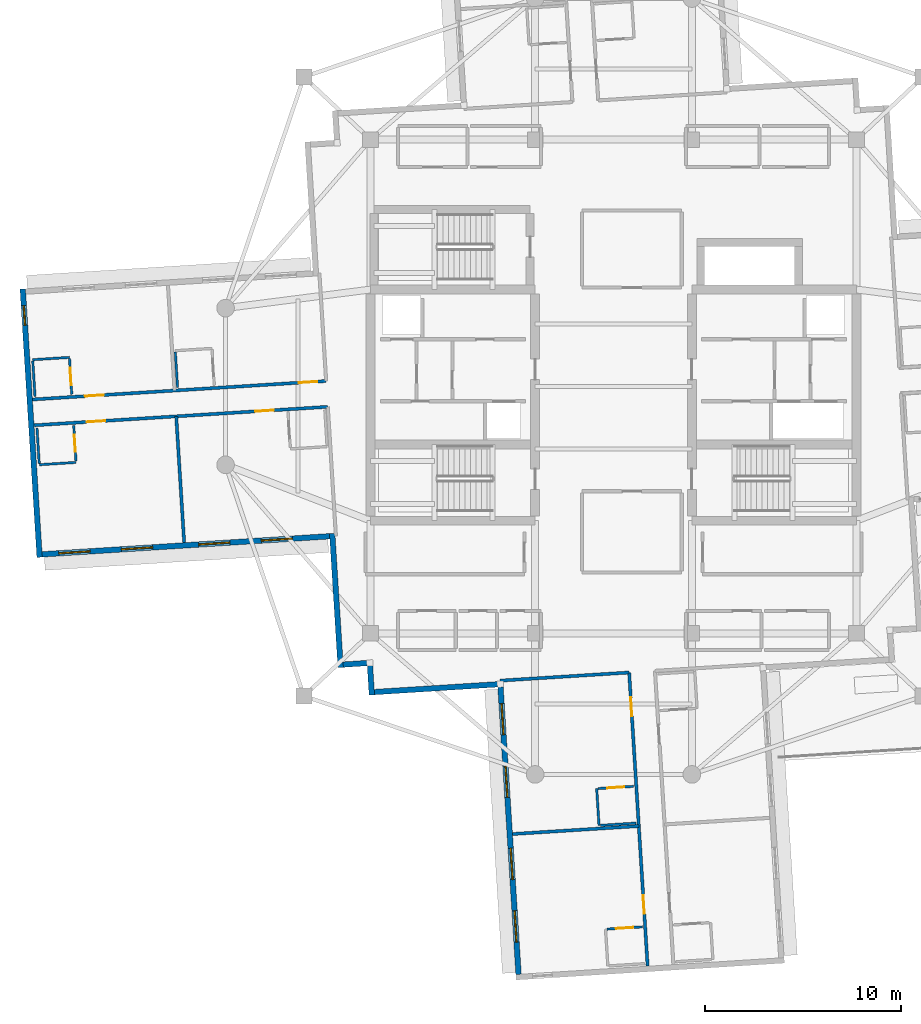
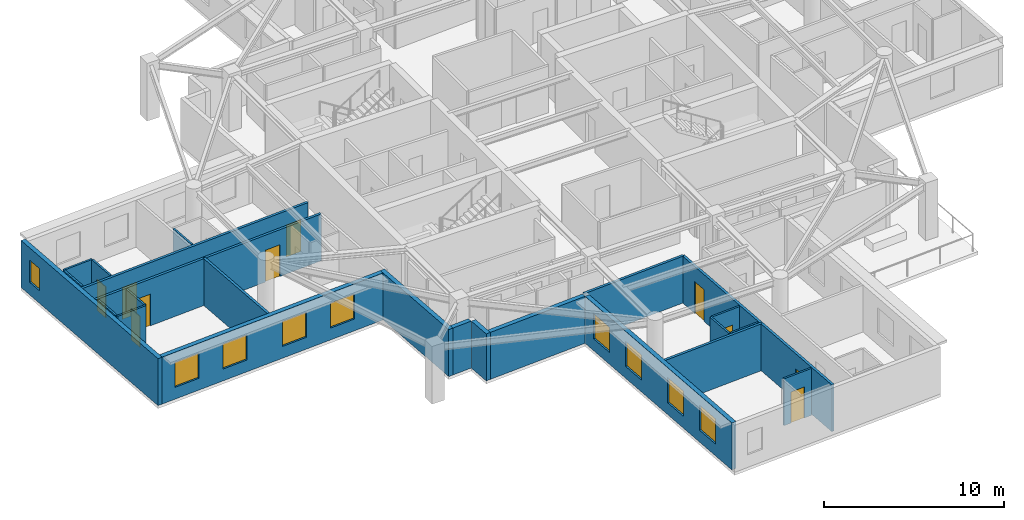
# One storey, part 3 of 13: 24 walls, 10 doors, 9 windows, 19 openings.
"""IFC4 building model written with IfcOpenShell, lengths in metres."""

from ifc_helpers import new_model, si_unit, direction, frame, frame_2d, origin, place, context, subcontext, project, spatial, rectangle, extrude, material, layer, layer_set, type_object, element, fill, save


model = new_model("IFC4")

# Units and contexts
model_context = context("Model", 3, precision=1e-05, world=origin(), true_north=direction((0.0, 1.0)))
body_context = subcontext(model_context, "Body", "Model", "MODEL_VIEW")
ifc_project = project(units=[si_unit("LENGTHUNIT", "METRE"), si_unit("AREAUNIT", "SQUARE_METRE"), si_unit("VOLUMEUNIT", "CUBIC_METRE"), si_unit("PLANEANGLEUNIT", "RADIAN"), si_unit("MASSUNIT", "GRAM", prefix="KILO")], contexts=[model_context])

# Site, building, storey
site_placement = place(None, origin())
site = spatial("IfcSite", under=ifc_project, at=site_placement, CompositionType="ELEMENT")
building_placement = place(site_placement, origin())
building = spatial("IfcBuilding", under=site, at=building_placement, Name="Qingluan Cross Belvedere", CompositionType="ELEMENT")
storey_placement = place(building_placement, frame((0.0, 0.0, 281.10009765625)))
storey = spatial("IfcBuildingStorey", under=building, at=storey_placement, Name="L70", CompositionType="ELEMENT", Elevation=281.10009765625)

# Wall, openings, doors
ifc_material_1 = material(Name="Gypsum plasterboard on steel stud acoustic partition", Category="steel")
ifc_layer_1 = layer(ifc_material_1, 0.159912109375, Name="CorridorPartition_160")
ifc_layer_set_1 = layer_set([ifc_layer_1], Name="Gypsum plasterboard on steel stud acoustic partition")
wall_type_1 = type_object("IfcWallType", Name="CorridorPartition_160", PredefinedType="PARTITIONING", material=ifc_layer_set_1)
wall_1_placement = place(storey_placement, frame((-14.66650390625, 0.279541015625, 0.0), z_axis=(0.0, 0.0, 1.0), x_axis=(-0.998026674719, -0.062791373209, 0.0)))
wall_1 = element("IfcWall", 1, at=wall_1_placement, inside=storey, type_object=wall_type_1, Name="Partition L70:W:c0", PredefinedType="PARTITIONING", context=body_context, shape_type="SweptSolid", body=[
    extrude(rectangle(XDim=15.011962890625, YDim=0.159912109375, at=frame_2d((7.505859375, 0.0))), origin(), (0.0, 0.0, 1.0), 3.169921875),
])
opening_1_placement = place(wall_1_placement, frame((0.449951171875, 0.0, 0.0)))
opening_1 = element("IfcOpeningElement", 2, at=opening_1_placement, cuts=wall_1, Name="Opening GD-10", PredefinedType="OPENING", context=body_context, shape_type="SweptSolid", body=[
    extrude(rectangle(XDim=0.9599609375, YDim=2.14990234375, at=frame_2d((0.47998046875, 1.074951171875))), frame((0.0, 0.08984375, 0.0), z_axis=(0.0, -1.0, 0.0), x_axis=(1.0, 0.0, 0.0)), (0.0, 0.0, 1.0), 0.179931640625),
])
opening_2_placement = place(wall_1_placement, frame((11.37109375, 0.0, 0.0)))
opening_2 = element("IfcOpeningElement", 3, at=opening_2_placement, cuts=wall_1, Name="Opening GD-10", PredefinedType="OPENING", context=body_context, shape_type="SweptSolid", body=[
    extrude(rectangle(XDim=0.9599609375, YDim=2.14990234375, at=frame_2d((0.47998046875, 1.074951171875))), frame((0.0, 0.08984375, 0.0), z_axis=(0.0, -1.0, 0.0), x_axis=(1.0, 0.0, 0.0)), (0.0, 0.0, 1.0), 0.179931640625),
])
ifc_material_2 = material(Name="Timber oak fire-rated acoustic guestroom door", Category="wood")
door_type_1 = type_object("IfcDoorType", Name="GuestEntryDoor_FD60", OperationType="NOTDEFINED", PredefinedType="DOOR", material=ifc_material_2)
door_1_placement = place(opening_1_placement, origin())
door_1 = element("IfcDoor", 4, at=door_1_placement, inside=storey, type_object=door_type_1, Name="Guest entry fire door 7005", OperationType="SINGLE_SWING_LEFT", OverallHeight=2.14990234375, OverallWidth=0.9599609375, PredefinedType="DOOR", context=body_context, shape_type="SweptSolid", body=[
    extrude(rectangle(XDim=0.9599609375, YDim=2.14990234375, at=frame_2d((0.47998046875, 1.074951171875))), frame((0.0, 0.02490234375, 0.0), z_axis=(0.0, -1.0, 0.0), x_axis=(1.0, 0.0, 0.0)), (0.0, 0.0, 1.0), 0.050048828125),
])
fill(opening_1, door_1)
door_2_placement = place(opening_2_placement, origin())
door_2 = element("IfcDoor", 5, at=door_2_placement, inside=storey, type_object=door_type_1, Name="Guest entry fire door 7006", OperationType="SINGLE_SWING_LEFT", OverallHeight=2.14990234375, OverallWidth=0.9599609375, PredefinedType="DOOR", context=body_context, shape_type="SweptSolid", body=[
    extrude(rectangle(XDim=0.9599609375, YDim=2.14990234375, at=frame_2d((0.47998046875, 1.074951171875))), frame((0.0, 0.02490234375, 0.0), z_axis=(0.0, -1.0, 0.0), x_axis=(1.0, 0.0, 0.0)), (0.0, 0.0, 1.0), 0.050048828125),
])
fill(opening_2, door_2)

wall_2_placement = place(storey_placement, frame((-14.58349609375, -1.037841796875, 0.0), z_axis=(0.0, 0.0, 1.0), x_axis=(-0.998026674719, -0.062791373209, 0.0)))
wall_2 = element("IfcWall", 6, at=wall_2_placement, inside=storey, type_object=wall_type_1, Name="Partition L70:W:c1", PredefinedType="PARTITIONING", context=body_context, shape_type="SweptSolid", body=[
    extrude(rectangle(XDim=15.011962890625, YDim=0.159912109375, at=frame_2d((7.505859375, 0.0))), origin(), (0.0, 0.0, 1.0), 3.169921875),
])
opening_3_placement = place(wall_2_placement, frame((2.7548828125, 0.0, 0.0)))
opening_3 = element("IfcOpeningElement", 7, at=opening_3_placement, cuts=wall_2, Name="Opening GD-10", PredefinedType="OPENING", context=body_context, shape_type="SweptSolid", body=[
    extrude(rectangle(XDim=0.9599609375, YDim=2.14990234375, at=frame_2d((0.47998046875, 1.074951171875))), frame((0.0, 0.08984375, 0.0), z_axis=(0.0, -1.0, 0.0), x_axis=(1.0, 0.0, 0.0)), (0.0, 0.0, 1.0), 0.179931640625),
])
opening_4_placement = place(wall_2_placement, frame((11.37109375, 0.0, 0.0)))
opening_4 = element("IfcOpeningElement", 8, at=opening_4_placement, cuts=wall_2, Name="Opening GD-10", PredefinedType="OPENING", context=body_context, shape_type="SweptSolid", body=[
    extrude(rectangle(XDim=0.9599609375, YDim=2.14990234375, at=frame_2d((0.47998046875, 1.074951171875))), frame((0.0, 0.08984375, 0.0), z_axis=(0.0, -1.0, 0.0), x_axis=(1.0, 0.0, 0.0)), (0.0, 0.0, 1.0), 0.179931640625),
])
door_3_placement = place(opening_3_placement, origin())
door_3 = element("IfcDoor", 9, at=door_3_placement, inside=storey, type_object=door_type_1, Name="Guest entry fire door 7007", OperationType="SINGLE_SWING_LEFT", OverallHeight=2.14990234375, OverallWidth=0.9599609375, PredefinedType="DOOR", context=body_context, shape_type="SweptSolid", body=[
    extrude(rectangle(XDim=0.9599609375, YDim=2.14990234375, at=frame_2d((0.47998046875, 1.074951171875))), frame((0.0, 0.02490234375, 0.0), z_axis=(0.0, -1.0, 0.0), x_axis=(1.0, 0.0, 0.0)), (0.0, 0.0, 1.0), 0.050048828125),
])
fill(opening_3, door_3)
door_4_placement = place(opening_4_placement, origin())
door_4 = element("IfcDoor", 10, at=door_4_placement, inside=storey, type_object=door_type_1, Name="Guest entry fire door 7008", OperationType="SINGLE_SWING_LEFT", OverallHeight=2.14990234375, OverallWidth=0.9599609375, PredefinedType="DOOR", context=body_context, shape_type="SweptSolid", body=[
    extrude(rectangle(XDim=0.9599609375, YDim=2.14990234375, at=frame_2d((0.47998046875, 1.074951171875))), frame((0.0, 0.02490234375, 0.0), z_axis=(0.0, -1.0, 0.0), x_axis=(1.0, 0.0, 0.0)), (0.0, 0.0, 1.0), 0.050048828125),
])
fill(opening_4, door_4)

# Wall
wall_3_placement = place(storey_placement, frame((-22.318359375, -1.5244140625, 0.0), z_axis=(0.0, 0.0, 1.0), x_axis=(0.062814100699, -0.998025244547, 0.0)))
element("IfcWall", 11, at=wall_3_placement, inside=storey, type_object=wall_type_1, Name="Partition L70:W:d1_0", PredefinedType="PARTITIONING", context=body_context, shape_type="SweptSolid", body=[
    extrude(rectangle(XDim=6.451904296875, YDim=0.159912109375, at=frame_2d((3.22607421875, 0.0))), origin(), (0.0, 0.0, 1.0), 3.169921875),
])

# Wall, openings, doors
wall_4_placement = place(storey_placement, frame((0.798095703125, -14.5986328125, 0.0), z_axis=(0.0, 0.0, 1.0), x_axis=(0.062791373209, -0.998026674719, 0.0)))
wall_4 = element("IfcWall", 12, at=wall_4_placement, inside=storey, type_object=wall_type_1, Name="Partition L70:S:c1", PredefinedType="PARTITIONING", context=body_context, shape_type="SweptSolid", body=[
    extrude(rectangle(XDim=15.011962890625, YDim=0.159912109375, at=frame_2d((7.505859375, 0.0))), origin(), (0.0, 0.0, 1.0), 3.169921875),
])
opening_5_placement = place(wall_4_placement, frame((1.27099609375, 0.0, 0.0)))
opening_5 = element("IfcOpeningElement", 13, at=opening_5_placement, cuts=wall_4, Name="Opening GD-10", PredefinedType="OPENING", context=body_context, shape_type="SweptSolid", body=[
    extrude(rectangle(XDim=0.9599609375, YDim=2.14990234375, at=frame_2d((0.47998046875, 1.074951171875))), frame((0.0, 0.08984375, 0.0), z_axis=(0.0, -1.0, 0.0), x_axis=(1.0, 0.0, 0.0)), (0.0, 0.0, 1.0), 0.179931640625),
])
opening_6_placement = place(wall_4_placement, frame((11.381103515625, 0.0, 0.0)))
opening_6 = element("IfcOpeningElement", 14, at=opening_6_placement, cuts=wall_4, Name="Opening GD-10", PredefinedType="OPENING", context=body_context, shape_type="SweptSolid", body=[
    extrude(rectangle(XDim=0.9599609375, YDim=2.14990234375, at=frame_2d((0.47998046875, 1.074951171875))), frame((0.0, 0.08984375, 0.0), z_axis=(0.0, -1.0, 0.0), x_axis=(1.0, 0.0, 0.0)), (0.0, 0.0, 1.0), 0.179931640625),
])
door_5_placement = place(opening_5_placement, origin())
door_5 = element("IfcDoor", 15, at=door_5_placement, inside=storey, type_object=door_type_1, Name="Guest entry fire door 7017", OperationType="SINGLE_SWING_LEFT", OverallHeight=2.14990234375, OverallWidth=0.9599609375, PredefinedType="DOOR", context=body_context, shape_type="SweptSolid", body=[
    extrude(rectangle(XDim=0.9599609375, YDim=2.14990234375, at=frame_2d((0.47998046875, 1.074951171875))), frame((0.0, 0.02490234375, 0.0), z_axis=(0.0, -1.0, 0.0), x_axis=(1.0, 0.0, 0.0)), (0.0, 0.0, 1.0), 0.050048828125),
])
fill(opening_5, door_5)
door_6_placement = place(opening_6_placement, origin())
door_6 = element("IfcDoor", 16, at=door_6_placement, inside=storey, type_object=door_type_1, Name="Guest entry fire door 7018", OperationType="SINGLE_SWING_LEFT", OverallHeight=2.14990234375, OverallWidth=0.9599609375, PredefinedType="DOOR", context=body_context, shape_type="SweptSolid", body=[
    extrude(rectangle(XDim=0.9599609375, YDim=2.14990234375, at=frame_2d((0.47998046875, 1.074951171875))), frame((0.0, 0.02490234375, 0.0), z_axis=(0.0, -1.0, 0.0), x_axis=(1.0, 0.0, 0.0)), (0.0, 0.0, 1.0), 0.050048828125),
])
fill(opening_6, door_6)

# Walls
wall_5_placement = place(storey_placement, frame((0.798095703125, -14.5986328125, 0.0), z_axis=(0.0, 0.0, 1.0), x_axis=(-0.998025424787, -0.06281123689, 0.0)))
element("IfcWall", 17, at=wall_5_placement, inside=storey, type_object=wall_type_1, Name="Partition L70:S:s1", PredefinedType="PARTITIONING", context=body_context, shape_type="SweptSolid", body=[
    extrude(rectangle(XDim=6.599853515625, YDim=0.159912109375, at=frame_2d((3.2998046875, 0.0))), origin(), (0.0, 0.0, 1.0), 3.169921875),
])
wall_6_placement = place(storey_placement, frame((1.291259765625, -22.436279296875, 0.0), z_axis=(0.0, 0.0, 1.0), x_axis=(-0.998027616022, -0.062776410047, 0.0)))
element("IfcWall", 18, at=wall_6_placement, inside=storey, type_object=wall_type_1, Name="Partition L70:S:d1_0", PredefinedType="PARTITIONING", context=body_context, shape_type="SweptSolid", body=[
    extrude(rectangle(XDim=6.451904296875, YDim=0.159912109375, at=frame_2d((3.22607421875, 0.0))), origin(), (0.0, 0.0, 1.0), 3.169921875),
])
ifc_material_3 = material(Name="Moisture-resistant gypsum board lining")
ifc_layer_2 = layer(ifc_material_3, 0.1201171875, Name="EnsuiteWetPartition_120")
ifc_layer_set_2 = layer_set([ifc_layer_2], Name="Moisture-resistant gypsum board lining")
wall_type_2 = type_object("IfcWallType", Name="EnsuiteWetPartition_120", PredefinedType="PARTITIONING", material=ifc_layer_set_2)
wall_7_placement = place(storey_placement, frame((-22.250244140625, -0.05712890625, 0.0), z_axis=(0.0, 0.0, 1.0), x_axis=(-0.062779145668, 0.998027443946, 0.0)))
element("IfcWall", 19, at=wall_7_placement, inside=storey, type_object=wall_type_2, Name="Partition L70:W:bw0_0", PredefinedType="PARTITIONING", context=body_context, shape_type="SweptSolid", body=[
    extrude(rectangle(XDim=1.820068359375, YDim=0.1201171875, at=frame_2d((0.91015625, 0.0))), origin(), (0.0, 0.0, 1.0), 3.169921875),
])

# Wall, opening, door
wall_8_placement = place(storey_placement, frame((-27.649658203125, -0.39697265625, 0.0), z_axis=(0.0, 0.0, 1.0), x_axis=(-0.062779145668, 0.998027443946, 0.0)))
wall_8 = element("IfcWall", 20, at=wall_8_placement, inside=storey, type_object=wall_type_2, Name="Partition L70:W:bs0_1", PredefinedType="PARTITIONING", context=body_context, shape_type="SweptSolid", body=[
    extrude(rectangle(XDim=1.820068359375, YDim=0.1201171875, at=frame_2d((0.91015625, 0.0))), origin(), (0.0, 0.0, 1.0), 3.169921875),
])
opening_7_placement = place(wall_8_placement, frame((0.469970703125, 0.0, 0.0)))
opening_7 = element("IfcOpeningElement", 21, at=opening_7_placement, cuts=wall_8, Name="Opening BD-09", PredefinedType="OPENING", context=body_context, shape_type="SweptSolid", body=[
    extrude(rectangle(XDim=0.8798828125, YDim=2.10009765625, at=frame_2d((0.43994140625, 1.050048828125))), frame((0.0, 0.070068359375, 0.0), z_axis=(0.0, -1.0, 0.0), x_axis=(1.0, 0.0, 0.0)), (0.0, 0.0, 1.0), 0.14013671875),
])
ifc_material_4 = material(Name="Moisture-sealed timber en-suite door", Category="wood")
door_type_2 = type_object("IfcDoorType", Name="BathroomDoor_880", OperationType="NOTDEFINED", PredefinedType="DOOR", material=ifc_material_4)
door_7_placement = place(opening_7_placement, origin())
door_7 = element("IfcDoor", 22, at=door_7_placement, inside=storey, type_object=door_type_2, Name="Bathroom door 7006", OperationType="SINGLE_SWING_RIGHT", OverallHeight=2.10009765625, OverallWidth=0.8798828125, PredefinedType="DOOR", context=body_context, shape_type="SweptSolid", body=[
    extrude(rectangle(XDim=0.8798828125, YDim=2.10009765625, at=frame_2d((0.43994140625, 1.050048828125))), frame((0.0, 0.02490234375, 0.0), z_axis=(0.0, -1.0, 0.0), x_axis=(1.0, 0.0, 0.0)), (0.0, 0.0, 1.0), 0.050048828125),
])
fill(opening_7, door_7)

# Walls
wall_9_placement = place(storey_placement, frame((-29.52587890625, -0.514892578125, 0.0), z_axis=(0.0, 0.0, 1.0), x_axis=(-0.062779145668, 0.998027443946, 0.0)))
element("IfcWall", 23, at=wall_9_placement, inside=storey, type_object=wall_type_2, Name="Partition L70:W:bw0_1", PredefinedType="PARTITIONING", context=body_context, shape_type="SweptSolid", body=[
    extrude(rectangle(XDim=1.820068359375, YDim=0.1201171875, at=frame_2d((0.91015625, 0.0))), origin(), (0.0, 0.0, 1.0), 3.169921875),
])
wall_10_placement = place(storey_placement, frame((-27.76806640625, 1.484375, 0.0), z_axis=(0.0, 0.0, 1.0), x_axis=(-0.998022650819, -0.062855297722, 0.0)))
element("IfcWall", 24, at=wall_10_placement, inside=storey, type_object=wall_type_2, Name="Partition L70:W:bn0_1", PredefinedType="PARTITIONING", context=body_context, shape_type="SweptSolid", body=[
    extrude(rectangle(XDim=1.8798828125, YDim=0.1201171875, at=frame_2d((0.93994140625, 0.0))), origin(), (0.0, 0.0, 1.0), 3.169921875),
])

# Wall, opening, door
wall_11_placement = place(storey_placement, frame((-27.434814453125, -3.810302734375, 0.0), z_axis=(0.0, 0.0, 1.0), x_axis=(-0.062912758763, 0.998019030272, 0.0)))
wall_11 = element("IfcWall", 25, at=wall_11_placement, inside=storey, type_object=wall_type_2, Name="Partition L70:W:bs1_1", PredefinedType="PARTITIONING", context=body_context, shape_type="SweptSolid", body=[
    extrude(rectangle(XDim=1.820068359375, YDim=0.1201171875, at=frame_2d((0.91015625, 0.0))), origin(), (0.0, 0.0, 1.0), 3.169921875),
])
opening_8_placement = place(wall_11_placement, frame((0.469970703125, 0.0, 0.0)))
opening_8 = element("IfcOpeningElement", 26, at=opening_8_placement, cuts=wall_11, Name="Opening BD-09", PredefinedType="OPENING", context=body_context, shape_type="SweptSolid", body=[
    extrude(rectangle(XDim=0.8798828125, YDim=2.10009765625, at=frame_2d((0.43994140625, 1.050048828125))), frame((0.0, 0.070068359375, 0.0), z_axis=(0.0, -1.0, 0.0), x_axis=(1.0, 0.0, 0.0)), (0.0, 0.0, 1.0), 0.14013671875),
])
door_8_placement = place(opening_8_placement, origin())
door_8 = element("IfcDoor", 27, at=door_8_placement, inside=storey, type_object=door_type_2, Name="Bathroom door 7008", OperationType="SINGLE_SWING_RIGHT", OverallHeight=2.10009765625, OverallWidth=0.8798828125, PredefinedType="DOOR", context=body_context, shape_type="SweptSolid", body=[
    extrude(rectangle(XDim=0.8798828125, YDim=2.10009765625, at=frame_2d((0.43994140625, 1.050048828125))), frame((0.0, 0.02490234375, 0.0), z_axis=(0.0, -1.0, 0.0), x_axis=(1.0, 0.0, 0.0)), (0.0, 0.0, 1.0), 0.050048828125),
])
fill(opening_8, door_8)

# Walls
wall_12_placement = place(storey_placement, frame((-29.311279296875, -3.92822265625, 0.0), z_axis=(0.0, 0.0, 1.0), x_axis=(-0.062779145668, 0.998027443946, 0.0)))
element("IfcWall", 28, at=wall_12_placement, inside=storey, type_object=wall_type_2, Name="Partition L70:W:bw1_1", PredefinedType="PARTITIONING", context=body_context, shape_type="SweptSolid", body=[
    extrude(rectangle(XDim=1.820068359375, YDim=0.1201171875, at=frame_2d((0.91015625, 0.0))), origin(), (0.0, 0.0, 1.0), 3.169921875),
])
wall_13_placement = place(storey_placement, frame((-27.430908203125, -3.875, 0.0), z_axis=(0.0, 0.0, 1.0), x_axis=(-0.998022650819, -0.062855297722, 0.0)))
element("IfcWall", 29, at=wall_13_placement, inside=storey, type_object=wall_type_2, Name="Partition L70:W:bc1_1", PredefinedType="PARTITIONING", context=body_context, shape_type="SweptSolid", body=[
    extrude(rectangle(XDim=1.8798828125, YDim=0.1201171875, at=frame_2d((0.93994140625, 0.0))), origin(), (0.0, 0.0, 1.0), 3.169921875),
])

# Wall, opening, door
wall_14_placement = place(storey_placement, frame((-0.79296875, -20.523193359375, 0.0), z_axis=(0.0, 0.0, 1.0), x_axis=(0.998027443946, 0.062779145668, 0.0)))
wall_14 = element("IfcWall", 30, at=wall_14_placement, inside=storey, type_object=wall_type_2, Name="Partition L70:S:bs1_0", PredefinedType="PARTITIONING", context=body_context, shape_type="SweptSolid", body=[
    extrude(rectangle(XDim=1.820068359375, YDim=0.1201171875, at=frame_2d((0.91015625, 0.0))), origin(), (0.0, 0.0, 1.0), 3.169921875),
])
opening_9_placement = place(wall_14_placement, frame((0.469970703125, 0.0, 0.0)))
opening_9 = element("IfcOpeningElement", 31, at=opening_9_placement, cuts=wall_14, Name="Opening BD-09", PredefinedType="OPENING", context=body_context, shape_type="SweptSolid", body=[
    extrude(rectangle(XDim=0.8798828125, YDim=2.10009765625, at=frame_2d((0.43994140625, 1.050048828125))), frame((0.0, 0.070068359375, 0.0), z_axis=(0.0, -1.0, 0.0), x_axis=(1.0, 0.0, 0.0)), (0.0, 0.0, 1.0), 0.14013671875),
])
door_9_placement = place(opening_9_placement, origin())
door_9 = element("IfcDoor", 32, at=door_9_placement, inside=storey, type_object=door_type_2, Name="Bathroom door 7017", OperationType="SINGLE_SWING_RIGHT", OverallHeight=2.10009765625, OverallWidth=0.8798828125, PredefinedType="DOOR", context=body_context, shape_type="SweptSolid", body=[
    extrude(rectangle(XDim=0.8798828125, YDim=2.10009765625, at=frame_2d((0.43994140625, 1.050048828125))), frame((0.0, 0.02490234375, 0.0), z_axis=(0.0, -1.0, 0.0), x_axis=(1.0, 0.0, 0.0)), (0.0, 0.0, 1.0), 0.050048828125),
])
fill(opening_9, door_9)

# Walls
wall_15_placement = place(storey_placement, frame((-0.6748046875, -22.399658203125, 0.0), z_axis=(0.0, 0.0, 1.0), x_axis=(0.998027443946, 0.062779145668, 0.0)))
element("IfcWall", 33, at=wall_15_placement, inside=storey, type_object=wall_type_2, Name="Partition L70:S:bw1_0", PredefinedType="PARTITIONING", context=body_context, shape_type="SweptSolid", body=[
    extrude(rectangle(XDim=1.820068359375, YDim=0.1201171875, at=frame_2d((0.91015625, 0.0))), origin(), (0.0, 0.0, 1.0), 3.169921875),
])
wall_16_placement = place(storey_placement, frame((-0.85791015625, -20.52734375, 0.0), z_axis=(0.0, 0.0, 1.0), x_axis=(0.062847152131, -0.998023163794, 0.0)))
element("IfcWall", 34, at=wall_16_placement, inside=storey, type_object=wall_type_2, Name="Partition L70:S:bc1_0", PredefinedType="PARTITIONING", context=body_context, shape_type="SweptSolid", body=[
    extrude(rectangle(XDim=1.880126953125, YDim=0.1201171875, at=frame_2d((0.93994140625, 0.0))), origin(), (0.0, 0.0, 1.0), 3.169921875),
])

# Wall, opening, door
wall_17_placement = place(storey_placement, frame((-0.341552734375, -27.696044921875, 0.0), z_axis=(0.0, 0.0, 1.0), x_axis=(0.998027443946, 0.062779145668, 0.0)))
wall_17 = element("IfcWall", 35, at=wall_17_placement, inside=storey, type_object=wall_type_2, Name="Partition L70:S:bs1_1", PredefinedType="PARTITIONING", context=body_context, shape_type="SweptSolid", body=[
    extrude(rectangle(XDim=1.820068359375, YDim=0.1201171875, at=frame_2d((0.91015625, 0.0))), origin(), (0.0, 0.0, 1.0), 3.169921875),
])
opening_10_placement = place(wall_17_placement, frame((0.469970703125, 0.0, 0.0)))
opening_10 = element("IfcOpeningElement", 36, at=opening_10_placement, cuts=wall_17, Name="Opening BD-09", PredefinedType="OPENING", context=body_context, shape_type="SweptSolid", body=[
    extrude(rectangle(XDim=0.8798828125, YDim=2.10009765625, at=frame_2d((0.43994140625, 1.050048828125))), frame((0.0, 0.070068359375, 0.0), z_axis=(0.0, -1.0, 0.0), x_axis=(1.0, 0.0, 0.0)), (0.0, 0.0, 1.0), 0.14013671875),
])
door_10_placement = place(opening_10_placement, origin())
door_10 = element("IfcDoor", 37, at=door_10_placement, inside=storey, type_object=door_type_2, Name="Bathroom door 7018", OperationType="SINGLE_SWING_RIGHT", OverallHeight=2.10009765625, OverallWidth=0.8798828125, PredefinedType="DOOR", context=body_context, shape_type="SweptSolid", body=[
    extrude(rectangle(XDim=0.8798828125, YDim=2.10009765625, at=frame_2d((0.43994140625, 1.050048828125))), frame((0.0, 0.02490234375, 0.0), z_axis=(0.0, -1.0, 0.0), x_axis=(1.0, 0.0, 0.0)), (0.0, 0.0, 1.0), 0.050048828125),
])
fill(opening_10, door_10)

# Wall, openings, windows
ifc_material_5 = material(Name="Precast concrete C45", Category="concrete")
ifc_layer_3 = layer(ifc_material_5, 0.280029296875, Name="PrecastFacadeWall_280")
ifc_layer_set_3 = layer_set([ifc_layer_3], Name="Precast concrete C45")
wall_type_3 = type_object("IfcWallType", Name="PrecastFacadeWall_280", PredefinedType="STANDARD", material=ifc_layer_set_3)
wall_18_placement = place(storey_placement, frame((-29.15966796875, -8.56787109375, 0.0), z_axis=(0.0, 0.0, 1.0), x_axis=(0.998026448555, 0.062794967833, 0.0)))
wall_18 = element("IfcWall", 38, at=wall_18_placement, inside=storey, type_object=wall_type_3, Name="Facade wall L70-WB", PredefinedType="STANDARD", context=body_context, shape_type="SweptSolid", body=[
    extrude(rectangle(XDim=14.7001953125, YDim=0.280029296875, at=frame_2d((7.35009765625, 0.0))), origin(), (0.0, 0.0, 1.0), 3.179931640625),
])
opening_11_placement = place(wall_18_placement, frame((0.85009765625, 0.0, 0.800048828125)))
opening_11 = element("IfcOpeningElement", 39, at=opening_11_placement, cuts=wall_18, Name="Opening W-04", PredefinedType="OPENING", context=body_context, shape_type="SweptSolid", body=[
    extrude(rectangle(XDim=1.60009765625, YDim=1.699951171875, at=frame_2d((0.800048828125, 0.85009765625))), frame((0.0, 0.14990234375, 0.0), z_axis=(0.0, -1.0, 0.0), x_axis=(1.0, 0.0, 0.0)), (0.0, 0.0, 1.0), 0.300048828125),
])
opening_12_placement = place(wall_18_placement, frame((4.050048828125, 0.0, 0.800048828125)))
opening_12 = element("IfcOpeningElement", 40, at=opening_12_placement, cuts=wall_18, Name="Opening W-04", PredefinedType="OPENING", context=body_context, shape_type="SweptSolid", body=[
    extrude(rectangle(XDim=1.60009765625, YDim=1.699951171875, at=frame_2d((0.800048828125, 0.85009765625))), frame((0.0, 0.14990234375, 0.0), z_axis=(0.0, -1.0, 0.0), x_axis=(1.0, 0.0, 0.0)), (0.0, 0.0, 1.0), 0.300048828125),
])
opening_13_placement = place(wall_18_placement, frame((8.0, 0.0, 0.800048828125)))
opening_13 = element("IfcOpeningElement", 41, at=opening_13_placement, cuts=wall_18, Name="Opening W-04", PredefinedType="OPENING", context=body_context, shape_type="SweptSolid", body=[
    extrude(rectangle(XDim=1.60009765625, YDim=1.699951171875, at=frame_2d((0.800048828125, 0.85009765625))), frame((0.0, 0.14990234375, 0.0), z_axis=(0.0, -1.0, 0.0), x_axis=(1.0, 0.0, 0.0)), (0.0, 0.0, 1.0), 0.300048828125),
])
opening_14_placement = place(wall_18_placement, frame((11.199951171875, 0.0, 0.800048828125)))
opening_14 = element("IfcOpeningElement", 42, at=opening_14_placement, cuts=wall_18, Name="Opening W-04", PredefinedType="OPENING", context=body_context, shape_type="SweptSolid", body=[
    extrude(rectangle(XDim=1.60009765625, YDim=1.699951171875, at=frame_2d((0.800048828125, 0.85009765625))), frame((0.0, 0.14990234375, 0.0), z_axis=(0.0, -1.0, 0.0), x_axis=(1.0, 0.0, 0.0)), (0.0, 0.0, 1.0), 0.300048828125),
])
ifc_material_6 = material(Name="Thermally broken triple Low-E glass in aluminium frame", Category="aluminium")
window_type_1 = type_object("IfcWindowType", Name="SuiteCornerWin_1600x1700", PartitioningType="SINGLE_PANEL", PredefinedType="WINDOW", material=ifc_material_6)
window_1_placement = place(opening_11_placement, origin())
window_1 = element("IfcWindow", 43, at=window_1_placement, inside=storey, type_object=window_type_1, Name="Ribbon window L70-WB-1", OverallHeight=1.699951171875, OverallWidth=1.60009765625, PartitioningType="SINGLE_PANEL", PredefinedType="WINDOW", context=body_context, shape_type="SweptSolid", body=[
    extrude(rectangle(XDim=1.60009765625, YDim=1.699951171875, at=frame_2d((0.800048828125, 0.85009765625))), frame((0.0, 0.030029296875, 0.0), z_axis=(0.0, -1.0, 0.0), x_axis=(1.0, 0.0, 0.0)), (0.0, 0.0, 1.0), 0.06005859375),
])
fill(opening_11, window_1)
window_2_placement = place(opening_12_placement, origin())
window_2 = element("IfcWindow", 44, at=window_2_placement, inside=storey, type_object=window_type_1, Name="Ribbon window L70-WB-2", OverallHeight=1.699951171875, OverallWidth=1.60009765625, PartitioningType="SINGLE_PANEL", PredefinedType="WINDOW", context=body_context, shape_type="SweptSolid", body=[
    extrude(rectangle(XDim=1.60009765625, YDim=1.699951171875, at=frame_2d((0.800048828125, 0.85009765625))), frame((0.0, 0.030029296875, 0.0), z_axis=(0.0, -1.0, 0.0), x_axis=(1.0, 0.0, 0.0)), (0.0, 0.0, 1.0), 0.06005859375),
])
fill(opening_12, window_2)
window_3_placement = place(opening_13_placement, origin())
window_3 = element("IfcWindow", 45, at=window_3_placement, inside=storey, type_object=window_type_1, Name="Ribbon window L70-WB-3", OverallHeight=1.699951171875, OverallWidth=1.60009765625, PartitioningType="SINGLE_PANEL", PredefinedType="WINDOW", context=body_context, shape_type="SweptSolid", body=[
    extrude(rectangle(XDim=1.60009765625, YDim=1.699951171875, at=frame_2d((0.800048828125, 0.85009765625))), frame((0.0, 0.030029296875, 0.0), z_axis=(0.0, -1.0, 0.0), x_axis=(1.0, 0.0, 0.0)), (0.0, 0.0, 1.0), 0.06005859375),
])
fill(opening_13, window_3)
window_4_placement = place(opening_14_placement, origin())
window_4 = element("IfcWindow", 46, at=window_4_placement, inside=storey, type_object=window_type_1, Name="Ribbon window L70-WB-4", OverallHeight=1.699951171875, OverallWidth=1.60009765625, PartitioningType="SINGLE_PANEL", PredefinedType="WINDOW", context=body_context, shape_type="SweptSolid", body=[
    extrude(rectangle(XDim=1.60009765625, YDim=1.699951171875, at=frame_2d((0.800048828125, 0.85009765625))), frame((0.0, 0.030029296875, 0.0), z_axis=(0.0, -1.0, 0.0), x_axis=(1.0, 0.0, 0.0)), (0.0, 0.0, 1.0), 0.06005859375),
])
fill(opening_14, window_4)

# Wall, opening, window
wall_19_placement = place(storey_placement, frame((-30.152099609375, 4.9765625, 0.0), z_axis=(0.0, 0.0, 1.0), x_axis=(0.062797041623, -0.998026318072, 0.0)))
wall_19 = element("IfcWall", 47, at=wall_19_placement, inside=storey, type_object=wall_type_3, Name="Arm tip precast facade wall L70-W", PredefinedType="STANDARD", context=body_context, shape_type="SweptSolid", body=[
    extrude(rectangle(XDim=13.719970703125, YDim=0.280029296875, at=frame_2d((6.85986328125, 0.0))), origin(), (0.0, 0.0, 1.0), 3.179931640625),
])
opening_15_placement = place(wall_19_placement, frame((0.85009765625, 0.0, 0.85009765625)))
opening_15 = element("IfcOpeningElement", 48, at=opening_15_placement, cuts=wall_19, Name="Opening W-03", PredefinedType="OPENING", context=body_context, shape_type="SweptSolid", body=[
    extrude(rectangle(XDim=1.0, YDim=1.5, at=frame_2d((0.5, 0.75))), frame((0.0, 0.14990234375, 0.0), z_axis=(0.0, -1.0, 0.0), x_axis=(1.0, 0.0, 0.0)), (0.0, 0.0, 1.0), 0.300048828125),
])
ifc_material_7 = material(Name="Thermally broken triple Low-E glass in aluminium frame", Category="aluminium")
window_type_2 = type_object("IfcWindowType", Name="TriApexWin_1000x1500", PartitioningType="SINGLE_PANEL", PredefinedType="WINDOW", material=ifc_material_7)
window_5_placement = place(opening_15_placement, origin())
window_5 = element("IfcWindow", 49, at=window_5_placement, inside=storey, type_object=window_type_2, Name="Arm tip triangular window L70-W", OverallHeight=1.5, OverallWidth=1.0, PartitioningType="SINGLE_PANEL", PredefinedType="WINDOW", context=body_context, shape_type="SweptSolid", body=[
    extrude(rectangle(XDim=1.0, YDim=1.5, at=frame_2d((0.5, 0.75))), frame((0.0, 0.030029296875, 0.0), z_axis=(0.0, -1.0, 0.0), x_axis=(1.0, 0.0, 0.0)), (0.0, 0.0, 1.0), 0.06005859375),
])
fill(opening_15, window_5)

# Wall, openings, windows
wall_20_placement = place(storey_placement, frame((-5.7685546875, -15.33251953125, 0.0), z_axis=(0.0, 0.0, 1.0), x_axis=(0.062779465852, -0.998027423805, 0.0)))
wall_20 = element("IfcWall", 50, at=wall_20_placement, inside=storey, type_object=wall_type_3, Name="Facade wall L70-SA", PredefinedType="STANDARD", context=body_context, shape_type="SweptSolid", body=[
    extrude(rectangle(XDim=14.699951171875, YDim=0.280029296875, at=frame_2d((7.35009765625, 0.0))), origin(), (0.0, 0.0, 1.0), 3.179931640625),
])
opening_16_placement = place(wall_20_placement, frame((0.85009765625, 0.0, 0.800048828125)))
opening_16 = element("IfcOpeningElement", 51, at=opening_16_placement, cuts=wall_20, Name="Opening W-04", PredefinedType="OPENING", context=body_context, shape_type="SweptSolid", body=[
    extrude(rectangle(XDim=1.60009765625, YDim=1.699951171875, at=frame_2d((0.800048828125, 0.85009765625))), frame((0.0, 0.14990234375, 0.0), z_axis=(0.0, -1.0, 0.0), x_axis=(1.0, 0.0, 0.0)), (0.0, 0.0, 1.0), 0.300048828125),
])
opening_17_placement = place(wall_20_placement, frame((4.050048828125, 0.0, 0.800048828125)))
opening_17 = element("IfcOpeningElement", 52, at=opening_17_placement, cuts=wall_20, Name="Opening W-04", PredefinedType="OPENING", context=body_context, shape_type="SweptSolid", body=[
    extrude(rectangle(XDim=1.60009765625, YDim=1.699951171875, at=frame_2d((0.800048828125, 0.85009765625))), frame((0.0, 0.14990234375, 0.0), z_axis=(0.0, -1.0, 0.0), x_axis=(1.0, 0.0, 0.0)), (0.0, 0.0, 1.0), 0.300048828125),
])
opening_18_placement = place(wall_20_placement, frame((8.25, 0.0, 0.800048828125)))
opening_18 = element("IfcOpeningElement", 53, at=opening_18_placement, cuts=wall_20, Name="Opening W-04", PredefinedType="OPENING", context=body_context, shape_type="SweptSolid", body=[
    extrude(rectangle(XDim=1.60009765625, YDim=1.699951171875, at=frame_2d((0.800048828125, 0.85009765625))), frame((0.0, 0.14990234375, 0.0), z_axis=(0.0, -1.0, 0.0), x_axis=(1.0, 0.0, 0.0)), (0.0, 0.0, 1.0), 0.300048828125),
])
opening_19_placement = place(wall_20_placement, frame((11.449951171875, 0.0, 0.800048828125)))
opening_19 = element("IfcOpeningElement", 54, at=opening_19_placement, cuts=wall_20, Name="Opening W-04", PredefinedType="OPENING", context=body_context, shape_type="SweptSolid", body=[
    extrude(rectangle(XDim=1.60009765625, YDim=1.699951171875, at=frame_2d((0.800048828125, 0.85009765625))), frame((0.0, 0.14990234375, 0.0), z_axis=(0.0, -1.0, 0.0), x_axis=(1.0, 0.0, 0.0)), (0.0, 0.0, 1.0), 0.300048828125),
])
window_6_placement = place(opening_16_placement, origin())
window_6 = element("IfcWindow", 55, at=window_6_placement, inside=storey, type_object=window_type_1, Name="Ribbon window L70-SA-1", OverallHeight=1.699951171875, OverallWidth=1.60009765625, PartitioningType="SINGLE_PANEL", PredefinedType="WINDOW", context=body_context, shape_type="SweptSolid", body=[
    extrude(rectangle(XDim=1.60009765625, YDim=1.699951171875, at=frame_2d((0.800048828125, 0.85009765625))), frame((0.0, 0.030029296875, 0.0), z_axis=(0.0, -1.0, 0.0), x_axis=(1.0, 0.0, 0.0)), (0.0, 0.0, 1.0), 0.06005859375),
])
fill(opening_16, window_6)
window_7_placement = place(opening_17_placement, origin())
window_7 = element("IfcWindow", 56, at=window_7_placement, inside=storey, type_object=window_type_1, Name="Ribbon window L70-SA-2", OverallHeight=1.699951171875, OverallWidth=1.60009765625, PartitioningType="SINGLE_PANEL", PredefinedType="WINDOW", context=body_context, shape_type="SweptSolid", body=[
    extrude(rectangle(XDim=1.60009765625, YDim=1.699951171875, at=frame_2d((0.800048828125, 0.85009765625))), frame((0.0, 0.030029296875, 0.0), z_axis=(0.0, -1.0, 0.0), x_axis=(1.0, 0.0, 0.0)), (0.0, 0.0, 1.0), 0.06005859375),
])
fill(opening_17, window_7)
window_8_placement = place(opening_18_placement, origin())
window_8 = element("IfcWindow", 57, at=window_8_placement, inside=storey, type_object=window_type_1, Name="Ribbon window L70-SA-3", OverallHeight=1.699951171875, OverallWidth=1.60009765625, PartitioningType="SINGLE_PANEL", PredefinedType="WINDOW", context=body_context, shape_type="SweptSolid", body=[
    extrude(rectangle(XDim=1.60009765625, YDim=1.699951171875, at=frame_2d((0.800048828125, 0.85009765625))), frame((0.0, 0.030029296875, 0.0), z_axis=(0.0, -1.0, 0.0), x_axis=(1.0, 0.0, 0.0)), (0.0, 0.0, 1.0), 0.06005859375),
])
fill(opening_18, window_8)
window_9_placement = place(opening_19_placement, origin())
window_9 = element("IfcWindow", 58, at=window_9_placement, inside=storey, type_object=window_type_1, Name="Ribbon window L70-SA-4", OverallHeight=1.699951171875, OverallWidth=1.60009765625, PartitioningType="SINGLE_PANEL", PredefinedType="WINDOW", context=body_context, shape_type="SweptSolid", body=[
    extrude(rectangle(XDim=1.60009765625, YDim=1.699951171875, at=frame_2d((0.800048828125, 0.85009765625))), frame((0.0, 0.030029296875, 0.0), z_axis=(0.0, -1.0, 0.0), x_axis=(1.0, 0.0, 0.0)), (0.0, 0.0, 1.0), 0.06005859375),
])
fill(opening_19, window_9)

# Walls
wall_21_placement = place(storey_placement, frame((-14.357666015625, -7.496337890625, 0.0), z_axis=(0.0, 0.0, 1.0), x_axis=(0.062779317195, -0.998027433156, 0.0)))
element("IfcWall", 59, at=wall_21_placement, inside=storey, type_object=wall_type_3, Name="Corner wall L70-SW1", PredefinedType="STANDARD", context=body_context, shape_type="SweptSolid", body=[
    extrude(rectangle(XDim=6.85986328125, YDim=0.280029296875, at=frame_2d((3.429931640625, 0.0))), origin(), (0.0, 0.0, 1.0), 3.179931640625),
])
wall_22_placement = place(storey_placement, frame((-13.7958984375, -14.1943359375, 0.0), z_axis=(0.0, 0.0, 1.0), x_axis=(0.998023660242, 0.06283926796, 0.0)))
element("IfcWall", 60, at=wall_22_placement, inside=storey, type_object=wall_type_3, Name="Corner wall L70-SW2", PredefinedType="STANDARD", context=body_context, shape_type="SweptSolid", body=[
    extrude(rectangle(XDim=1.219970703125, YDim=0.280029296875, at=frame_2d((0.60986328125, 0.0))), origin(), (0.0, 0.0, 1.0), 3.179931640625),
])
wall_23_placement = place(storey_placement, frame((-12.429931640625, -14.24853515625, 0.0), z_axis=(0.0, 0.0, 1.0), x_axis=(0.062824119533, -0.998024613927, 0.0)))
element("IfcWall", 61, at=wall_23_placement, inside=storey, type_object=wall_type_3, Name="Corner wall L70-SW3", PredefinedType="STANDARD", context=body_context, shape_type="SweptSolid", body=[
    extrude(rectangle(XDim=1.5, YDim=0.280029296875, at=frame_2d((0.75, 0.0))), origin(), (0.0, 0.0, 1.0), 3.179931640625),
])
wall_24_placement = place(storey_placement, frame((-12.20458984375, -15.59716796875, 0.0), z_axis=(0.0, 0.0, 1.0), x_axis=(0.998024885752, 0.062819801181, 0.0)))
element("IfcWall", 62, at=wall_24_placement, inside=storey, type_object=wall_type_3, Name="Corner wall L70-SW4", PredefinedType="STANDARD", context=body_context, shape_type="SweptSolid", body=[
    extrude(rectangle(XDim=6.2998046875, YDim=0.280029296875, at=frame_2d((3.14990234375, 0.0))), origin(), (0.0, 0.0, 1.0), 3.179931640625),
])

save(model, "model.ifc")
